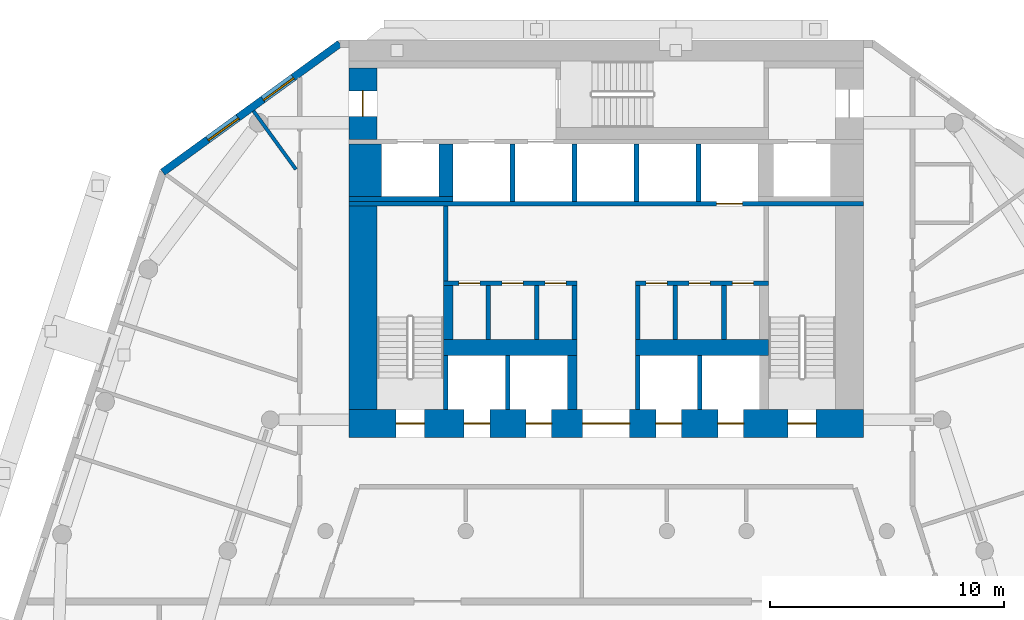
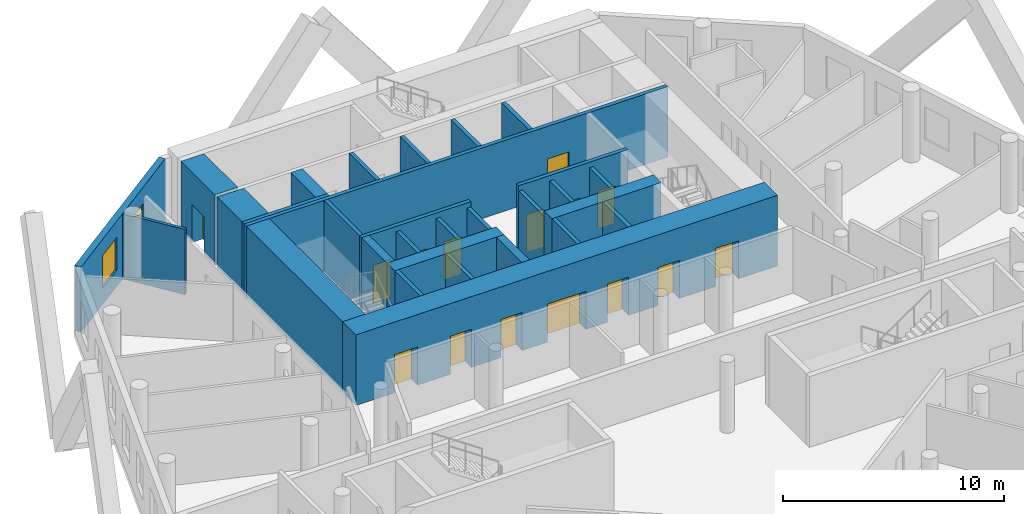
# One storey, part 6 of 10: 30 walls, 15 doors, 2 windows, 17 openings.
"""IFC4 building model written with IfcOpenShell, lengths in metres."""

from ifc_helpers import new_model, si_unit, direction, frame, frame_2d, origin, place, context, subcontext, project, spatial, rectangle, extrude, material, layer, layer_set, type_object, element, fill, save


model = new_model("IFC4")

# Units and contexts
model_context = context("Model", 3, precision=1e-05, world=origin(), true_north=direction((0.0, 1.0)))
body_context = subcontext(model_context, "Body", "Model", "MODEL_VIEW")
ifc_project = project(units=[si_unit("LENGTHUNIT", "METRE"), si_unit("AREAUNIT", "SQUARE_METRE"), si_unit("VOLUMEUNIT", "CUBIC_METRE"), si_unit("PLANEANGLEUNIT", "RADIAN"), si_unit("MASSUNIT", "GRAM", prefix="KILO")], contexts=[model_context])

# Site, building, storey
site_placement = place(None, origin())
site = spatial("IfcSite", under=ifc_project, at=site_placement, CompositionType="ELEMENT")
building_placement = place(site_placement, origin())
building = spatial("IfcBuilding", under=site, at=building_placement, Name="White Candle Pilgrim Tower", CompositionType="ELEMENT")
storey_placement = place(building_placement, frame((0.0, 0.0, 78.0)))
storey = spatial("IfcBuildingStorey", under=building, at=storey_placement, Name="L16", CompositionType="ELEMENT", Elevation=78.0)

# Wall, opening, door
ifc_material_1 = material(Name="Concrete C70/85", Category="concrete")
ifc_layer_1 = layer(ifc_material_1, 1.199951171875)
ifc_layer_set_1 = layer_set([ifc_layer_1], Name="Core wall 1200 mm Concrete C70/85")
wall_type_1 = type_object("IfcWallType", Name="Core wall 1200 mm Concrete C70/85", PredefinedType="SHEAR", material=ifc_layer_set_1)
wall_1_placement = place(storey_placement, frame((59.60009765625, 83.75, 0.0), z_axis=(0.0, 0.0, 1.0), x_axis=(0.0, 1.0, 0.0)))
wall_1 = element("IfcWall", 1, at=wall_1_placement, inside=storey, type_object=wall_type_1, Name="WL-L16-C46", PredefinedType="SHEAR", context=body_context, shape_type="SweptSolid", body=[
    extrude(rectangle(XDim=3.050048828125, YDim=1.199951171875, at=frame_2d((1.52490234375, 0.0))), origin(), (0.0, 0.0, 1.0), 3.89990234375),
])
opening_1_placement = place(wall_1_placement, frame((0.97509765625, 0.0, 0.0)))
opening_1 = element("IfcOpeningElement", 2, at=opening_1_placement, cuts=wall_1, Name="Opening T05-005", PredefinedType="OPENING", context=body_context, shape_type="SweptSolid", body=[
    extrude(rectangle(XDim=1.10009765625, YDim=2.10009765625, at=frame_2d((0.550048828125, 1.050048828125))), frame((0.0, 0.60986328125, 0.0), z_axis=(0.0, -1.0, 0.0), x_axis=(1.0, 0.0, 0.0)), (0.0, 0.0, 1.0), 1.219970703125),
])
ifc_material_2 = material(Name="Steel door leaf", Category="steel")
door_type_1 = type_object("IfcDoorType", Name="Fire door 1100 x 2100 EI 60", OperationType="NOTDEFINED", PredefinedType="DOOR", material=ifc_material_2)
door_1_placement = place(opening_1_placement, origin())
door_1 = element("IfcDoor", 3, at=door_1_placement, inside=storey, type_object=door_type_1, Name="Door T05-005", OperationType="SINGLE_SWING_LEFT", OverallHeight=2.10009765625, OverallWidth=1.10009765625, PredefinedType="DOOR", context=body_context, shape_type="SweptSolid", body=[
    extrude(rectangle(XDim=1.10009765625, YDim=2.10009765625, at=frame_2d((0.550048828125, 1.050048828125))), frame((0.0, 0.02490234375, 0.0), z_axis=(0.0, -1.0, 0.0), x_axis=(1.0, 0.0, 0.0)), (0.0, 0.0, 1.0), 0.050048828125),
])
fill(opening_1, door_1)

# Walls
ifc_layer_2 = layer(ifc_material_1, 1.39990234375)
ifc_layer_set_2 = layer_set([ifc_layer_2], Name="Core wall 1400 mm Concrete C70/85")
wall_type_2 = type_object("IfcWallType", Name="Core wall 1400 mm Concrete C70/85", PredefinedType="SHEAR", material=ifc_layer_set_2)
wall_2_placement = place(storey_placement, frame((59.699951171875, 81.300048828125, 0.0), z_axis=(0.0, 0.0, 1.0), x_axis=(0.0, 1.0, 0.0)))
element("IfcWall", 4, at=wall_2_placement, inside=storey, type_object=wall_type_2, Name="WL-L16-C41", PredefinedType="SHEAR", context=body_context, shape_type="SweptSolid", body=[
    extrude(rectangle(XDim=2.25, YDim=1.39990234375, at=frame_2d((1.125, 0.0))), origin(), (0.0, 0.0, 1.0), 3.89990234375),
])
ifc_layer_3 = layer(ifc_material_1, 0.199951171875)
ifc_layer_set_3 = layer_set([ifc_layer_3], Name="Core wall 200 mm Concrete C70/85")
wall_type_3 = type_object("IfcWallType", Name="Core wall 200 mm Concrete C70/85", PredefinedType="SHEAR", material=ifc_layer_set_3)
wall_3_placement = place(storey_placement, frame((59.0, 81.199951171875, 0.0), z_axis=(0.0, 0.0, 1.0), x_axis=(1.0, 0.0, 0.0)))
element("IfcWall", 5, at=wall_3_placement, inside=storey, type_object=wall_type_3, Name="WL-L16-C35", PredefinedType="SHEAR", context=body_context, shape_type="SweptSolid", body=[
    extrude(rectangle(XDim=4.449951171875, YDim=0.199951171875, at=frame_2d((2.22509765625, 0.0))), origin(), (0.0, 0.0, 1.0), 3.89990234375),
])

# Wall, openings, windows
ifc_material_3 = material(Name="Precast concrete C40/50", Category="concrete")
ifc_layer_4 = layer(ifc_material_3, 0.320068359375)
ifc_layer_set_4 = layer_set([ifc_layer_4], Name="Facade wall EW1 precast concrete C40/50 pier wall with timber-lined reveals")
wall_type_4 = type_object("IfcWallType", Name="Facade wall EW1 precast concrete C40/50 pier wall with timber-lined reveals", PredefinedType="SOLIDWALL", material=ifc_layer_set_4)
wall_4_placement = place(storey_placement, frame((58.614990234375, 87.840087890625, 0.0), z_axis=(0.0, 0.0, 1.0), x_axis=(-0.809011346894, -0.587793025304, 0.0)))
wall_4 = element("IfcWall", 6, at=wall_4_placement, inside=storey, type_object=wall_type_4, Name="Facade wall L16 NW chamfer", PredefinedType="SOLIDWALL", context=body_context, shape_type="SweptSolid", body=[
    extrude(rectangle(XDim=9.35546875, YDim=0.320068359375, at=frame_2d((4.677734375, 0.0))), origin(), (0.0, 0.0, 1.0), 3.60009765625),
])
opening_2_placement = place(wall_4_placement, frame((2.459716796875, 0.0, 0.89990234375)))
opening_2 = element("IfcOpeningElement", 7, at=opening_2_placement, cuts=wall_4, Name="Opening W2", PredefinedType="OPENING", context=body_context, shape_type="SweptSolid", body=[
    extrude(rectangle(XDim=1.60009765625, YDim=1.800048828125, at=frame_2d((0.800048828125, 0.89990234375))), frame((0.0, 0.169921875, 0.0), z_axis=(0.0, -1.0, 0.0), x_axis=(1.0, 0.0, 0.0)), (0.0, 0.0, 1.0), 0.340087890625),
])
opening_3_placement = place(wall_4_placement, frame((5.377685546875, 0.0, 0.89990234375)))
opening_3 = element("IfcOpeningElement", 8, at=opening_3_placement, cuts=wall_4, Name="Opening W2", PredefinedType="OPENING", context=body_context, shape_type="SweptSolid", body=[
    extrude(rectangle(XDim=1.60009765625, YDim=1.800048828125, at=frame_2d((0.800048828125, 0.89990234375))), frame((0.0, 0.169921875, 0.0), z_axis=(0.0, -1.0, 0.0), x_axis=(1.0, 0.0, 0.0)), (0.0, 0.0, 1.0), 0.340087890625),
])
ifc_material_4 = material(Name="Timber frame with triple glazing", Category="wood")
window_type = type_object("IfcWindowType", Name="Window W2 1600x1800 timber frame triple glazing", PartitioningType="SINGLE_PANEL", PredefinedType="WINDOW", material=ifc_material_4)
window_1_placement = place(opening_2_placement, origin())
window_1 = element("IfcWindow", 9, at=window_1_placement, inside=storey, type_object=window_type, Name="Window W2 L16 NW chamfer 1", OverallHeight=1.800048828125, OverallWidth=1.60009765625, PartitioningType="SINGLE_PANEL", PredefinedType="WINDOW", context=body_context, shape_type="SweptSolid", body=[
    extrude(rectangle(XDim=1.60009765625, YDim=1.800048828125, at=frame_2d((0.800048828125, 0.89990234375))), frame((0.0, 0.070068359375, 0.0), z_axis=(0.0, -1.0, 0.0), x_axis=(1.0, 0.0, 0.0)), (0.0, 0.0, 1.0), 0.06005859375),
])
fill(opening_2, window_1)
window_2_placement = place(opening_3_placement, origin())
window_2 = element("IfcWindow", 10, at=window_2_placement, inside=storey, type_object=window_type, Name="Window W2 L16 NW chamfer 2", OverallHeight=1.800048828125, OverallWidth=1.60009765625, PartitioningType="SINGLE_PANEL", PredefinedType="WINDOW", context=body_context, shape_type="SweptSolid", body=[
    extrude(rectangle(XDim=1.60009765625, YDim=1.800048828125, at=frame_2d((0.800048828125, 0.89990234375))), frame((0.0, 0.070068359375, 0.0), z_axis=(0.0, -1.0, 0.0), x_axis=(1.0, 0.0, 0.0)), (0.0, 0.0, 1.0), 0.06005859375),
])
fill(opening_3, window_2)

# Walls
ifc_material_5 = material(Name="Gypsum board on steel studs", Category="steel")
ifc_layer_5 = layer(ifc_material_5, 0.199951171875)
ifc_layer_set_5 = layer_set([ifc_layer_5], Name="Lobby wall 200 mm EI 60")
wall_type_5 = type_object("IfcWallType", Name="Lobby wall 200 mm EI 60", PredefinedType="PARTITIONING", material=ifc_layer_set_5)
for number, where, z_axis, x_axis, name in (
    (11, (64.9599609375, 75.199951171875, 0.0), (0.0, 0.0, 1.0), (0.0, 1.0, 0.0), "WL-L16-C23"),
    (12, (67.0400390625, 75.199951171875, 0.0), (0.0, 0.0, 1.0), (0.0, 1.0, 0.0), "WL-L16-C24"),
    (13, (68.64990234375, 75.199951171875, 0.0), (0.0, 0.0, 1.0), (0.0, 1.0, 0.0), "WL-L16-C25"),
    (14, (71.35009765625, 75.199951171875, 0.0), (0.0, 0.0, 1.0), (0.0, 1.0, 0.0), "WL-L16-C26"),
    (15, (72.9599609375, 75.199951171875, 0.0), (0.0, 0.0, 1.0), (0.0, 1.0, 0.0), "WL-L16-C27"),
    (16, (75.0400390625, 75.199951171875, 0.0), (0.0, 0.0, 1.0), (0.0, 1.0, 0.0), "WL-L16-C28"),
):
    element("IfcWall", number, at=place(storey_placement, frame(where, z_axis=z_axis, x_axis=x_axis)), inside=storey, type_object=wall_type_5, Name=name, PredefinedType="PARTITIONING", context=body_context, shape_type="SweptSolid", body=[
        extrude(rectangle(XDim=2.300048828125, YDim=0.199951171875, at=frame_2d((1.14990234375, 0.0))), origin(), (0.0, 0.0, 1.0), 3.60009765625),
    ])
ifc_layer_6 = layer(ifc_material_5, 0.14990234375)
ifc_layer_set_6 = layer_set([ifc_layer_6], Name="Partition 150 mm EI 60")
wall_type_6 = type_object("IfcWallType", Name="Partition 150 mm EI 60", PredefinedType="PARTITIONING", material=ifc_layer_set_6)
wall_5_placement = place(storey_placement, frame((54.9248046875, 84.961181640625, 0.0), z_axis=(0.0, 0.0, 1.0), x_axis=(0.587720210674, -0.809064245883, 0.0)))
element("IfcWall", 17, at=wall_5_placement, inside=storey, type_object=wall_type_6, Name="WL-L16-P024", PredefinedType="PARTITIONING", context=body_context, shape_type="SweptSolid", body=[
    extrude(rectangle(XDim=3.087158203125, YDim=0.14990234375, at=frame_2d((1.54345703125, 0.0))), origin(), (0.0, 0.0, 1.0), 3.60009765625),
])
ifc_layer_7 = layer(ifc_material_1, 0.199951171875)
ifc_layer_set_7 = layer_set([ifc_layer_7], Name="Shaft wall 200 mm Concrete C70/85")
wall_type_7 = type_object("IfcWallType", Name="Shaft wall 200 mm Concrete C70/85", PredefinedType="SHEAR", material=ifc_layer_set_7)
for number, where, z_axis, x_axis, name in (
    (18, (65.800048828125, 72.199951171875, 0.0), (0.0, 0.0, 1.0), (0.0, 1.0, 0.0), "WL-L16-C14"),
    (19, (71.35009765625, 72.199951171875, 0.0), (0.0, 0.0, 1.0), (0.0, 1.0, 0.0), "WL-L16-C16"),
    (20, (74.0, 72.199951171875, 0.0), (0.0, 0.0, 1.0), (0.0, 1.0, 0.0), "WL-L16-C17"),
):
    element("IfcWall", number, at=place(storey_placement, frame(where, z_axis=z_axis, x_axis=x_axis)), inside=storey, type_object=wall_type_7, Name=name, PredefinedType="SHEAR", context=body_context, shape_type="SweptSolid", body=[
        extrude(rectangle(XDim=2.300048828125, YDim=0.199951171875, at=frame_2d((1.14990234375, 0.0))), origin(), (0.0, 0.0, 1.0), 3.89990234375),
    ])
for number, where, z_axis, x_axis, name in (
    (21, (66.0, 81.10009765625, 0.0), (0.0, 0.0, 1.0), (0.0, 1.0, 0.0), "WL-L16-C36"),
    (22, (68.64990234375, 81.10009765625, 0.0), (0.0, 0.0, 1.0), (0.0, 1.0, 0.0), "WL-L16-C37"),
    (23, (71.300048828125, 81.10009765625, 0.0), (0.0, 0.0, 1.0), (0.0, 1.0, 0.0), "WL-L16-C38"),
    (24, (73.949951171875, 81.10009765625, 0.0), (0.0, 0.0, 1.0), (0.0, 1.0, 0.0), "WL-L16-C39"),
):
    element("IfcWall", number, at=place(storey_placement, frame(where, z_axis=z_axis, x_axis=x_axis)), inside=storey, type_object=wall_type_7, Name=name, PredefinedType="SHEAR", context=body_context, shape_type="SweptSolid", body=[
        extrude(rectangle(XDim=2.449951171875, YDim=0.199951171875, at=frame_2d((1.22509765625, 0.0))), origin(), (0.0, 0.0, 1.0), 3.89990234375),
    ])
ifc_layer_8 = layer(ifc_material_1, 0.39990234375)
ifc_layer_set_8 = layer_set([ifc_layer_8], Name="Shaft wall 400 mm Concrete C70/85")
wall_type_8 = type_object("IfcWallType", Name="Shaft wall 400 mm Concrete C70/85", PredefinedType="SHEAR", material=ifc_layer_set_8)
wall_6_placement = place(storey_placement, frame((68.550048828125, 72.199951171875, 0.0), z_axis=(0.0, 0.0, 1.0), x_axis=(0.0, 1.0, 0.0)))
element("IfcWall", 25, at=wall_6_placement, inside=storey, type_object=wall_type_8, Name="WL-L16-C15", PredefinedType="SHEAR", context=body_context, shape_type="SweptSolid", body=[
    extrude(rectangle(XDim=2.300048828125, YDim=0.39990234375, at=frame_2d((1.14990234375, 0.0))), origin(), (0.0, 0.0, 1.0), 3.89990234375),
])
ifc_layer_9 = layer(ifc_material_1, 0.60009765625)
ifc_layer_set_9 = layer_set([ifc_layer_9], Name="Shaft wall 600 mm Concrete C70/85")
wall_type_9 = type_object("IfcWallType", Name="Shaft wall 600 mm Concrete C70/85", PredefinedType="SHEAR", material=ifc_layer_set_9)
wall_7_placement = place(storey_placement, frame((63.14990234375, 81.300048828125, 0.0), z_axis=(0.0, 0.0, 1.0), x_axis=(0.0, 1.0, 0.0)))
element("IfcWall", 26, at=wall_7_placement, inside=storey, type_object=wall_type_9, Name="WL-L16-C42", PredefinedType="SHEAR", context=body_context, shape_type="SweptSolid", body=[
    extrude(rectangle(XDim=2.25, YDim=0.60009765625, at=frame_2d((1.125, 0.0))), origin(), (0.0, 0.0, 1.0), 3.89990234375),
])

# Wall, openings, doors
ifc_layer_10 = layer(ifc_material_1, 1.199951171875)
ifc_layer_set_10 = layer_set([ifc_layer_10], Name="Stair shaft wall 1200 mm Concrete C70/85")
wall_type_10 = type_object("IfcWallType", Name="Stair shaft wall 1200 mm Concrete C70/85", PredefinedType="SHEAR", material=ifc_layer_set_10)
wall_8_placement = place(storey_placement, frame((59.0, 71.60009765625, 0.0), z_axis=(0.0, 0.0, 1.0), x_axis=(1.0, 0.0, 0.0)))
wall_8 = element("IfcWall", 27, at=wall_8_placement, inside=storey, type_object=wall_type_10, Name="WL-L16-C11", PredefinedType="SHEAR", context=body_context, shape_type="SweptSolid", body=[
    extrude(rectangle(XDim=22.0, YDim=1.199951171875, at=frame_2d((11.0, 0.0))), origin(), (0.0, 0.0, 1.0), 3.89990234375),
])
opening_4_placement = place(wall_8_placement, frame((2.02490234375, 0.0, 0.0)))
opening_4 = element("IfcOpeningElement", 28, at=opening_4_placement, cuts=wall_8, Name="Opening T05-001", PredefinedType="OPENING", context=body_context, shape_type="SweptSolid", body=[
    extrude(rectangle(XDim=1.199951171875, YDim=2.10009765625, at=frame_2d((0.60009765625, 1.050048828125))), frame((0.0, 0.60986328125, 0.0), z_axis=(0.0, -1.0, 0.0), x_axis=(1.0, 0.0, 0.0)), (0.0, 0.0, 1.0), 1.219970703125),
])
opening_5_placement = place(wall_8_placement, frame((18.77490234375, 0.0, 0.0)))
opening_5 = element("IfcOpeningElement", 29, at=opening_5_placement, cuts=wall_8, Name="Opening T05-002", PredefinedType="OPENING", context=body_context, shape_type="SweptSolid", body=[
    extrude(rectangle(XDim=1.199951171875, YDim=2.10009765625, at=frame_2d((0.60009765625, 1.050048828125))), frame((0.0, 0.60986328125, 0.0), z_axis=(0.0, -1.0, 0.0), x_axis=(1.0, 0.0, 0.0)), (0.0, 0.0, 1.0), 1.219970703125),
])
opening_6_placement = place(wall_8_placement, frame((10.0, 0.0, 0.0)))
opening_6 = element("IfcOpeningElement", 30, at=opening_6_placement, cuts=wall_8, Name="Opening T05-004", PredefinedType="OPENING", context=body_context, shape_type="SweptSolid", body=[
    extrude(rectangle(XDim=2.0, YDim=2.10009765625, at=frame_2d((1.0, 1.050048828125))), frame((0.0, 0.60986328125, 0.0), z_axis=(0.0, -1.0, 0.0), x_axis=(1.0, 0.0, 0.0)), (0.0, 0.0, 1.0), 1.219970703125),
])
opening_7_placement = place(wall_8_placement, frame((4.925048828125, 0.0, 0.0)))
opening_7 = element("IfcOpeningElement", 31, at=opening_7_placement, cuts=wall_8, Name="Opening T05-014", PredefinedType="OPENING", context=body_context, shape_type="SweptSolid", body=[
    extrude(rectangle(XDim=1.10009765625, YDim=2.10009765625, at=frame_2d((0.550048828125, 1.050048828125))), frame((0.0, 0.60986328125, 0.0), z_axis=(0.0, -1.0, 0.0), x_axis=(1.0, 0.0, 0.0)), (0.0, 0.0, 1.0), 1.219970703125),
])
opening_8_placement = place(wall_8_placement, frame((7.574951171875, 0.0, 0.0)))
opening_8 = element("IfcOpeningElement", 32, at=opening_8_placement, cuts=wall_8, Name="Opening T05-015", PredefinedType="OPENING", context=body_context, shape_type="SweptSolid", body=[
    extrude(rectangle(XDim=1.10009765625, YDim=2.10009765625, at=frame_2d((0.550048828125, 1.050048828125))), frame((0.0, 0.60986328125, 0.0), z_axis=(0.0, -1.0, 0.0), x_axis=(1.0, 0.0, 0.0)), (0.0, 0.0, 1.0), 1.219970703125),
])
opening_9_placement = place(wall_8_placement, frame((13.125, 0.0, 0.0)))
opening_9 = element("IfcOpeningElement", 33, at=opening_9_placement, cuts=wall_8, Name="Opening T05-016", PredefinedType="OPENING", context=body_context, shape_type="SweptSolid", body=[
    extrude(rectangle(XDim=1.10009765625, YDim=2.10009765625, at=frame_2d((0.550048828125, 1.050048828125))), frame((0.0, 0.60986328125, 0.0), z_axis=(0.0, -1.0, 0.0), x_axis=(1.0, 0.0, 0.0)), (0.0, 0.0, 1.0), 1.219970703125),
])
opening_10_placement = place(wall_8_placement, frame((15.77490234375, 0.0, 0.0)))
opening_10 = element("IfcOpeningElement", 34, at=opening_10_placement, cuts=wall_8, Name="Opening T05-017", PredefinedType="OPENING", context=body_context, shape_type="SweptSolid", body=[
    extrude(rectangle(XDim=1.10009765625, YDim=2.10009765625, at=frame_2d((0.550048828125, 1.050048828125))), frame((0.0, 0.60986328125, 0.0), z_axis=(0.0, -1.0, 0.0), x_axis=(1.0, 0.0, 0.0)), (0.0, 0.0, 1.0), 1.219970703125),
])
door_type_2 = type_object("IfcDoorType", Name="Fire door 1200 x 2100 EI 60", OperationType="NOTDEFINED", PredefinedType="DOOR", material=ifc_material_2)
door_2_placement = place(opening_4_placement, frame((1.199951171875, 0.0, 0.0), z_axis=(0.0, 0.0, 1.0), x_axis=(-1.0, 0.0, 0.0)))
door_2 = element("IfcDoor", 35, at=door_2_placement, inside=storey, type_object=door_type_2, Name="Door T05-001", OperationType="SINGLE_SWING_RIGHT", OverallHeight=2.10009765625, OverallWidth=1.199951171875, PredefinedType="DOOR", context=body_context, shape_type="SweptSolid", body=[
    extrude(rectangle(XDim=1.199951171875, YDim=2.10009765625, at=frame_2d((0.60009765625, 1.050048828125))), frame((0.0, 0.02490234375, 0.0), z_axis=(0.0, -1.0, 0.0), x_axis=(1.0, 0.0, 0.0)), (0.0, 0.0, 1.0), 0.050048828125),
])
fill(opening_4, door_2)
door_3_placement = place(opening_5_placement, frame((1.199951171875, 0.0, 0.0), z_axis=(0.0, 0.0, 1.0), x_axis=(-1.0, 0.0, 0.0)))
door_3 = element("IfcDoor", 36, at=door_3_placement, inside=storey, type_object=door_type_2, Name="Door T05-002", OperationType="SINGLE_SWING_LEFT", OverallHeight=2.10009765625, OverallWidth=1.199951171875, PredefinedType="DOOR", context=body_context, shape_type="SweptSolid", body=[
    extrude(rectangle(XDim=1.199951171875, YDim=2.10009765625, at=frame_2d((0.60009765625, 1.050048828125))), frame((0.0, 0.02490234375, 0.0), z_axis=(0.0, -1.0, 0.0), x_axis=(1.0, 0.0, 0.0)), (0.0, 0.0, 1.0), 0.050048828125),
])
fill(opening_5, door_3)
door_type_3 = type_object("IfcDoorType", Name="Fire door 2000 x 2100 EI 60", OperationType="NOTDEFINED", PredefinedType="DOOR", material=ifc_material_2)
door_4_placement = place(opening_6_placement, frame((2.0, 0.0, 0.0), z_axis=(0.0, 0.0, 1.0), x_axis=(-1.0, 0.0, 0.0)))
door_4 = element("IfcDoor", 37, at=door_4_placement, inside=storey, type_object=door_type_3, Name="Door T05-004", OperationType="DOUBLE_DOOR_SINGLE_SWING", OverallHeight=2.10009765625, OverallWidth=2.0, PredefinedType="DOOR", context=body_context, shape_type="SweptSolid", body=[
    extrude(rectangle(XDim=2.0, YDim=2.10009765625, at=frame_2d((1.0, 1.050048828125))), frame((0.0, 0.02490234375, 0.0), z_axis=(0.0, -1.0, 0.0), x_axis=(1.0, 0.0, 0.0)), (0.0, 0.0, 1.0), 0.050048828125),
])
fill(opening_6, door_4)
ifc_material_6 = material(Name="Stainless steel", Category="steel")
door_type_4 = type_object("IfcDoorType", Name="Lift landing door 1100 x 2100 E 60", OperationType="DOUBLE_DOOR_SLIDING", PredefinedType="DOOR", material=ifc_material_6)
door_5_placement = place(opening_7_placement, origin())
door_5 = element("IfcDoor", 38, at=door_5_placement, inside=storey, type_object=door_type_4, Name="Door T05-014", OperationType="DOUBLE_DOOR_SLIDING", OverallHeight=2.10009765625, OverallWidth=1.10009765625, PredefinedType="DOOR", context=body_context, shape_type="SweptSolid", body=[
    extrude(rectangle(XDim=1.10009765625, YDim=2.10009765625, at=frame_2d((0.550048828125, 1.050048828125))), frame((0.0, 0.02490234375, 0.0), z_axis=(0.0, -1.0, 0.0), x_axis=(1.0, 0.0, 0.0)), (0.0, 0.0, 1.0), 0.050048828125),
])
fill(opening_7, door_5)
door_6_placement = place(opening_8_placement, origin())
door_6 = element("IfcDoor", 39, at=door_6_placement, inside=storey, type_object=door_type_4, Name="Door T05-015", OperationType="DOUBLE_DOOR_SLIDING", OverallHeight=2.10009765625, OverallWidth=1.10009765625, PredefinedType="DOOR", context=body_context, shape_type="SweptSolid", body=[
    extrude(rectangle(XDim=1.10009765625, YDim=2.10009765625, at=frame_2d((0.550048828125, 1.050048828125))), frame((0.0, 0.02490234375, 0.0), z_axis=(0.0, -1.0, 0.0), x_axis=(1.0, 0.0, 0.0)), (0.0, 0.0, 1.0), 0.050048828125),
])
fill(opening_8, door_6)
door_7_placement = place(opening_9_placement, origin())
door_7 = element("IfcDoor", 40, at=door_7_placement, inside=storey, type_object=door_type_4, Name="Door T05-016", OperationType="DOUBLE_DOOR_SLIDING", OverallHeight=2.10009765625, OverallWidth=1.10009765625, PredefinedType="DOOR", context=body_context, shape_type="SweptSolid", body=[
    extrude(rectangle(XDim=1.10009765625, YDim=2.10009765625, at=frame_2d((0.550048828125, 1.050048828125))), frame((0.0, 0.02490234375, 0.0), z_axis=(0.0, -1.0, 0.0), x_axis=(1.0, 0.0, 0.0)), (0.0, 0.0, 1.0), 0.050048828125),
])
fill(opening_9, door_7)
door_8_placement = place(opening_10_placement, origin())
door_8 = element("IfcDoor", 41, at=door_8_placement, inside=storey, type_object=door_type_4, Name="Door T05-017", OperationType="DOUBLE_DOOR_SLIDING", OverallHeight=2.10009765625, OverallWidth=1.10009765625, PredefinedType="DOOR", context=body_context, shape_type="SweptSolid", body=[
    extrude(rectangle(XDim=1.10009765625, YDim=2.10009765625, at=frame_2d((0.550048828125, 1.050048828125))), frame((0.0, 0.02490234375, 0.0), z_axis=(0.0, -1.0, 0.0), x_axis=(1.0, 0.0, 0.0)), (0.0, 0.0, 1.0), 0.050048828125),
])
fill(opening_10, door_8)

# Walls
wall_9_placement = place(storey_placement, frame((59.60009765625, 72.199951171875, 0.0), z_axis=(0.0, 0.0, 1.0), x_axis=(0.0, 1.0, 0.0)))
element("IfcWall", 42, at=wall_9_placement, inside=storey, type_object=wall_type_10, Name="WL-L16-C12", PredefinedType="SHEAR", context=body_context, shape_type="SweptSolid", body=[
    extrude(rectangle(XDim=8.699951171875, YDim=1.199951171875, at=frame_2d((4.35009765625, 0.0))), origin(), (0.0, 0.0, 1.0), 3.89990234375),
])
ifc_layer_11 = layer(ifc_material_1, 0.199951171875)
ifc_layer_set_11 = layer_set([ifc_layer_11], Name="Stair shaft wall 200 mm Concrete C70/85")
wall_type_11 = type_object("IfcWallType", Name="Stair shaft wall 200 mm Concrete C70/85", PredefinedType="SHEAR", material=ifc_layer_set_11)
wall_10_placement = place(storey_placement, frame((63.14990234375, 72.199951171875, 0.0), z_axis=(0.0, 0.0, 1.0), x_axis=(0.0, 1.0, 0.0)))
element("IfcWall", 43, at=wall_10_placement, inside=storey, type_object=wall_type_11, Name="WL-L16-C13", PredefinedType="SHEAR", context=body_context, shape_type="SweptSolid", body=[
    extrude(rectangle(XDim=2.300048828125, YDim=0.199951171875, at=frame_2d((1.14990234375, 0.0))), origin(), (0.0, 0.0, 1.0), 3.89990234375),
])

# Wall, openings, doors
wall_11_placement = place(storey_placement, frame((63.050048828125, 77.60009765625, 0.0), z_axis=(0.0, 0.0, 1.0), x_axis=(1.0, 0.0, 0.0)))
wall_11 = element("IfcWall", 44, at=wall_11_placement, inside=storey, type_object=wall_type_11, Name="WL-L16-C30", PredefinedType="SHEAR", context=body_context, shape_type="SweptSolid", body=[
    extrude(rectangle(XDim=5.699951171875, YDim=0.199951171875, at=frame_2d((2.85009765625, 0.0))), origin(), (0.0, 0.0, 1.0), 3.89990234375),
])
opening_11_placement = place(wall_11_placement, frame((0.655029296875, 0.0, 0.0)))
opening_11 = element("IfcOpeningElement", 45, at=opening_11_placement, cuts=wall_11, Name="Opening T05-020", PredefinedType="OPENING", context=body_context, shape_type="SweptSolid", body=[
    extrude(rectangle(XDim=0.89990234375, YDim=2.10009765625, at=frame_2d((0.449951171875, 1.050048828125))), frame((0.0, 0.10986328125, 0.0), z_axis=(0.0, -1.0, 0.0), x_axis=(1.0, 0.0, 0.0)), (0.0, 0.0, 1.0), 0.219970703125),
])
opening_12_placement = place(wall_11_placement, frame((2.5, 0.0, 0.0)))
opening_12 = element("IfcOpeningElement", 46, at=opening_12_placement, cuts=wall_11, Name="Opening T05-021", PredefinedType="OPENING", context=body_context, shape_type="SweptSolid", body=[
    extrude(rectangle(XDim=0.89990234375, YDim=2.10009765625, at=frame_2d((0.449951171875, 1.050048828125))), frame((0.0, 0.10986328125, 0.0), z_axis=(0.0, -1.0, 0.0), x_axis=(1.0, 0.0, 0.0)), (0.0, 0.0, 1.0), 0.219970703125),
])
opening_13_placement = place(wall_11_placement, frame((4.344970703125, 0.0, 0.0)))
opening_13 = element("IfcOpeningElement", 47, at=opening_13_placement, cuts=wall_11, Name="Opening T05-022", PredefinedType="OPENING", context=body_context, shape_type="SweptSolid", body=[
    extrude(rectangle(XDim=0.89990234375, YDim=2.10009765625, at=frame_2d((0.449951171875, 1.050048828125))), frame((0.0, 0.10986328125, 0.0), z_axis=(0.0, -1.0, 0.0), x_axis=(1.0, 0.0, 0.0)), (0.0, 0.0, 1.0), 0.219970703125),
])
door_type_5 = type_object("IfcDoorType", Name="Fire door 900 x 2100 EI 30", OperationType="NOTDEFINED", PredefinedType="DOOR", material=ifc_material_2)
door_9_placement = place(opening_11_placement, origin())
door_9 = element("IfcDoor", 48, at=door_9_placement, inside=storey, type_object=door_type_5, Name="Door T05-020", OperationType="SINGLE_SWING_RIGHT", OverallHeight=2.10009765625, OverallWidth=0.89990234375, PredefinedType="DOOR", context=body_context, shape_type="SweptSolid", body=[
    extrude(rectangle(XDim=0.89990234375, YDim=2.10009765625, at=frame_2d((0.449951171875, 1.050048828125))), frame((0.0, 0.02490234375, 0.0), z_axis=(0.0, -1.0, 0.0), x_axis=(1.0, 0.0, 0.0)), (0.0, 0.0, 1.0), 0.050048828125),
])
fill(opening_11, door_9)
door_10_placement = place(opening_12_placement, origin())
door_10 = element("IfcDoor", 49, at=door_10_placement, inside=storey, type_object=door_type_5, Name="Door T05-021", OperationType="SINGLE_SWING_LEFT", OverallHeight=2.10009765625, OverallWidth=0.89990234375, PredefinedType="DOOR", context=body_context, shape_type="SweptSolid", body=[
    extrude(rectangle(XDim=0.89990234375, YDim=2.10009765625, at=frame_2d((0.449951171875, 1.050048828125))), frame((0.0, 0.02490234375, 0.0), z_axis=(0.0, -1.0, 0.0), x_axis=(1.0, 0.0, 0.0)), (0.0, 0.0, 1.0), 0.050048828125),
])
fill(opening_12, door_10)
door_11_placement = place(opening_13_placement, origin())
door_11 = element("IfcDoor", 50, at=door_11_placement, inside=storey, type_object=door_type_5, Name="Door T05-022", OperationType="SINGLE_SWING_RIGHT", OverallHeight=2.10009765625, OverallWidth=0.89990234375, PredefinedType="DOOR", context=body_context, shape_type="SweptSolid", body=[
    extrude(rectangle(XDim=0.89990234375, YDim=2.10009765625, at=frame_2d((0.449951171875, 1.050048828125))), frame((0.0, 0.02490234375, 0.0), z_axis=(0.0, -1.0, 0.0), x_axis=(1.0, 0.0, 0.0)), (0.0, 0.0, 1.0), 0.050048828125),
])
fill(opening_13, door_11)

wall_12_placement = place(storey_placement, frame((71.25, 77.60009765625, 0.0), z_axis=(0.0, 0.0, 1.0), x_axis=(1.0, 0.0, 0.0)))
wall_12 = element("IfcWall", 51, at=wall_12_placement, inside=storey, type_object=wall_type_11, Name="WL-L16-C31", PredefinedType="SHEAR", context=body_context, shape_type="SweptSolid", body=[
    extrude(rectangle(XDim=5.699951171875, YDim=0.199951171875, at=frame_2d((2.85009765625, 0.0))), origin(), (0.0, 0.0, 1.0), 3.89990234375),
])
opening_14_placement = place(wall_12_placement, frame((0.455078125, 0.0, 0.0)))
opening_14 = element("IfcOpeningElement", 52, at=opening_14_placement, cuts=wall_12, Name="Opening T05-023", PredefinedType="OPENING", context=body_context, shape_type="SweptSolid", body=[
    extrude(rectangle(XDim=0.89990234375, YDim=2.10009765625, at=frame_2d((0.449951171875, 1.050048828125))), frame((0.0, 0.10986328125, 0.0), z_axis=(0.0, -1.0, 0.0), x_axis=(1.0, 0.0, 0.0)), (0.0, 0.0, 1.0), 0.219970703125),
])
opening_15_placement = place(wall_12_placement, frame((2.300048828125, 0.0, 0.0)))
opening_15 = element("IfcOpeningElement", 53, at=opening_15_placement, cuts=wall_12, Name="Opening T05-024", PredefinedType="OPENING", context=body_context, shape_type="SweptSolid", body=[
    extrude(rectangle(XDim=0.89990234375, YDim=2.10009765625, at=frame_2d((0.449951171875, 1.050048828125))), frame((0.0, 0.10986328125, 0.0), z_axis=(0.0, -1.0, 0.0), x_axis=(1.0, 0.0, 0.0)), (0.0, 0.0, 1.0), 0.219970703125),
])
opening_16_placement = place(wall_12_placement, frame((4.14501953125, 0.0, 0.0)))
opening_16 = element("IfcOpeningElement", 54, at=opening_16_placement, cuts=wall_12, Name="Opening T05-025", PredefinedType="OPENING", context=body_context, shape_type="SweptSolid", body=[
    extrude(rectangle(XDim=0.89990234375, YDim=2.10009765625, at=frame_2d((0.449951171875, 1.050048828125))), frame((0.0, 0.10986328125, 0.0), z_axis=(0.0, -1.0, 0.0), x_axis=(1.0, 0.0, 0.0)), (0.0, 0.0, 1.0), 0.219970703125),
])
door_12_placement = place(opening_14_placement, origin())
door_12 = element("IfcDoor", 55, at=door_12_placement, inside=storey, type_object=door_type_5, Name="Door T05-023", OperationType="SINGLE_SWING_LEFT", OverallHeight=2.10009765625, OverallWidth=0.89990234375, PredefinedType="DOOR", context=body_context, shape_type="SweptSolid", body=[
    extrude(rectangle(XDim=0.89990234375, YDim=2.10009765625, at=frame_2d((0.449951171875, 1.050048828125))), frame((0.0, 0.02490234375, 0.0), z_axis=(0.0, -1.0, 0.0), x_axis=(1.0, 0.0, 0.0)), (0.0, 0.0, 1.0), 0.050048828125),
])
fill(opening_14, door_12)
door_13_placement = place(opening_15_placement, origin())
door_13 = element("IfcDoor", 56, at=door_13_placement, inside=storey, type_object=door_type_5, Name="Door T05-024", OperationType="SINGLE_SWING_RIGHT", OverallHeight=2.10009765625, OverallWidth=0.89990234375, PredefinedType="DOOR", context=body_context, shape_type="SweptSolid", body=[
    extrude(rectangle(XDim=0.89990234375, YDim=2.10009765625, at=frame_2d((0.449951171875, 1.050048828125))), frame((0.0, 0.02490234375, 0.0), z_axis=(0.0, -1.0, 0.0), x_axis=(1.0, 0.0, 0.0)), (0.0, 0.0, 1.0), 0.050048828125),
])
fill(opening_15, door_13)
door_14_placement = place(opening_16_placement, origin())
door_14 = element("IfcDoor", 57, at=door_14_placement, inside=storey, type_object=door_type_5, Name="Door T05-025", OperationType="SINGLE_SWING_LEFT", OverallHeight=2.10009765625, OverallWidth=0.89990234375, PredefinedType="DOOR", context=body_context, shape_type="SweptSolid", body=[
    extrude(rectangle(XDim=0.89990234375, YDim=2.10009765625, at=frame_2d((0.449951171875, 1.050048828125))), frame((0.0, 0.02490234375, 0.0), z_axis=(0.0, -1.0, 0.0), x_axis=(1.0, 0.0, 0.0)), (0.0, 0.0, 1.0), 0.050048828125),
])
fill(opening_16, door_14)

# Wall
wall_13_placement = place(storey_placement, frame((63.14990234375, 77.699951171875, 0.0), z_axis=(0.0, 0.0, 1.0), x_axis=(0.0, 1.0, 0.0)))
element("IfcWall", 58, at=wall_13_placement, inside=storey, type_object=wall_type_11, Name="WL-L16-C32", PredefinedType="SHEAR", context=body_context, shape_type="SweptSolid", body=[
    extrude(rectangle(XDim=3.199951171875, YDim=0.199951171875, at=frame_2d((1.60009765625, 0.0))), origin(), (0.0, 0.0, 1.0), 3.89990234375),
])

# Wall, opening, door
wall_14_placement = place(storey_placement, frame((59.0, 81.0, 0.0), z_axis=(0.0, 0.0, 1.0), x_axis=(1.0, 0.0, 0.0)))
wall_14 = element("IfcWall", 59, at=wall_14_placement, inside=storey, type_object=wall_type_11, Name="WL-L16-C34", PredefinedType="SHEAR", context=body_context, shape_type="SweptSolid", body=[
    extrude(rectangle(XDim=22.0, YDim=0.199951171875, at=frame_2d((11.0, 0.0))), origin(), (0.0, 0.0, 1.0), 3.89990234375),
])
opening_17_placement = place(wall_14_placement, frame((15.72509765625, 0.0, 0.0)))
opening_17 = element("IfcOpeningElement", 60, at=opening_17_placement, cuts=wall_14, Name="Opening T05-013", PredefinedType="OPENING", context=body_context, shape_type="SweptSolid", body=[
    extrude(rectangle(XDim=1.10009765625, YDim=2.10009765625, at=frame_2d((0.550048828125, 1.050048828125))), frame((0.0, 0.10986328125, 0.0), z_axis=(0.0, -1.0, 0.0), x_axis=(1.0, 0.0, 0.0)), (0.0, 0.0, 1.0), 0.219970703125),
])
door_15_placement = place(opening_17_placement, origin())
door_15 = element("IfcDoor", 61, at=door_15_placement, inside=storey, type_object=door_type_4, Name="Door T05-013", OperationType="DOUBLE_DOOR_SLIDING", OverallHeight=2.10009765625, OverallWidth=1.10009765625, PredefinedType="DOOR", context=body_context, shape_type="SweptSolid", body=[
    extrude(rectangle(XDim=1.10009765625, YDim=2.10009765625, at=frame_2d((0.550048828125, 1.050048828125))), frame((0.0, 0.02490234375, 0.0), z_axis=(0.0, -1.0, 0.0), x_axis=(1.0, 0.0, 0.0)), (0.0, 0.0, 1.0), 0.050048828125),
])
fill(opening_17, door_15)

# Walls
ifc_layer_12 = layer(ifc_material_1, 0.39990234375)
ifc_layer_set_12 = layer_set([ifc_layer_12], Name="Stair shaft wall 400 mm Concrete C70/85")
wall_type_12 = type_object("IfcWallType", Name="Stair shaft wall 400 mm Concrete C70/85", PredefinedType="SHEAR", material=ifc_layer_set_12)
wall_15_placement = place(storey_placement, frame((63.25, 75.199951171875, 0.0), z_axis=(0.0, 0.0, 1.0), x_axis=(0.0, 1.0, 0.0)))
element("IfcWall", 62, at=wall_15_placement, inside=storey, type_object=wall_type_12, Name="WL-L16-C22", PredefinedType="SHEAR", context=body_context, shape_type="SweptSolid", body=[
    extrude(rectangle(XDim=2.300048828125, YDim=0.39990234375, at=frame_2d((1.14990234375, 0.0))), origin(), (0.0, 0.0, 1.0), 3.89990234375),
])
ifc_layer_13 = layer(ifc_material_1, 0.699951171875)
ifc_layer_set_13 = layer_set([ifc_layer_13], Name="Stair shaft wall 700 mm Concrete C70/85")
wall_type_13 = type_object("IfcWallType", Name="Stair shaft wall 700 mm Concrete C70/85", PredefinedType="SHEAR", material=ifc_layer_set_13)
for number, where, z_axis, x_axis, name in (
    (63, (63.050048828125, 74.85009765625, 0.0), (0.0, 0.0, 1.0), (1.0, 0.0, 0.0), "WL-L16-C20"),
    (64, (71.25, 74.85009765625, 0.0), (0.0, 0.0, 1.0), (1.0, 0.0, 0.0), "WL-L16-C21"),
):
    element("IfcWall", number, at=place(storey_placement, frame(where, z_axis=z_axis, x_axis=x_axis)), inside=storey, type_object=wall_type_13, Name=name, PredefinedType="SHEAR", context=body_context, shape_type="SweptSolid", body=[
        extrude(rectangle(XDim=5.699951171875, YDim=0.699951171875, at=frame_2d((2.85009765625, 0.0))), origin(), (0.0, 0.0, 1.0), 3.89990234375),
    ])

save(model, "model.ifc")
